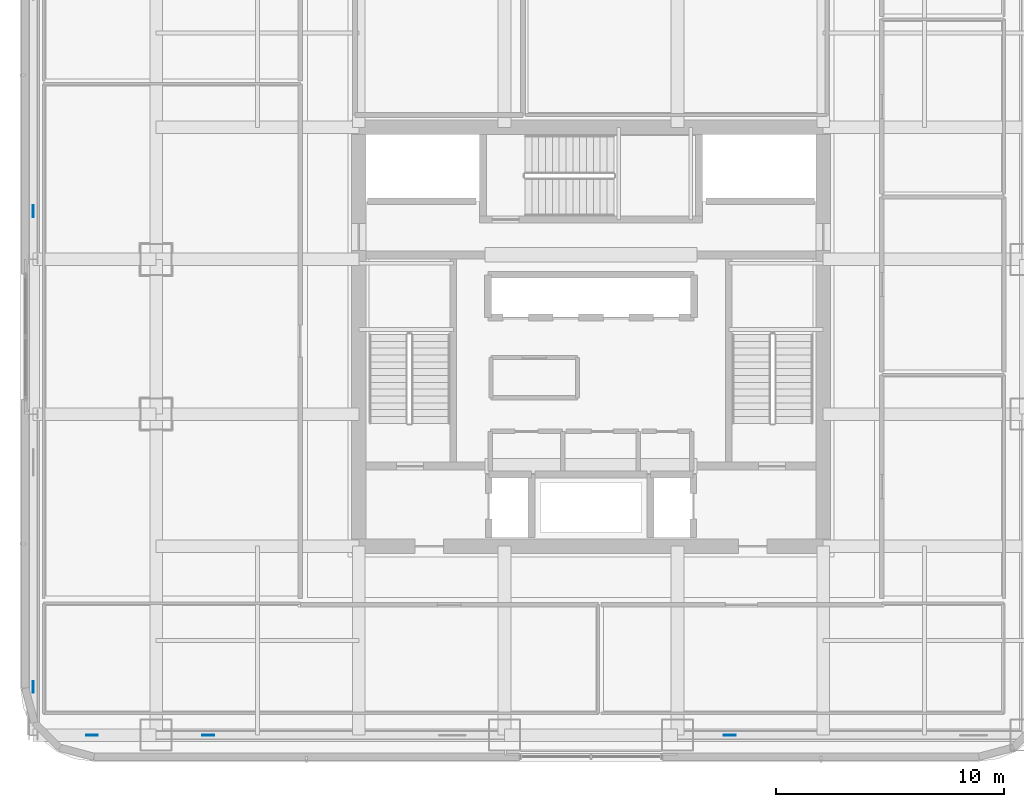
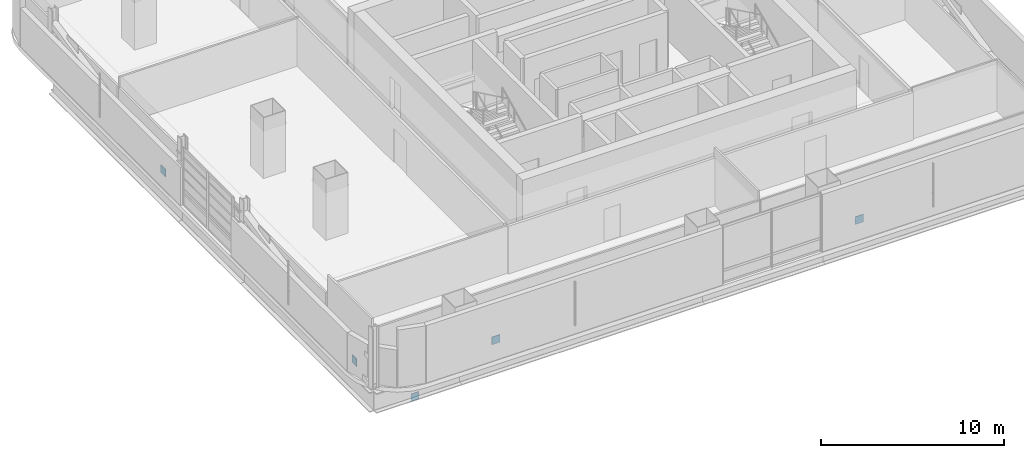
# One storey, part 10 of 32: 5 plates.
"""IFC4 building model written with IfcOpenShell, lengths in metres."""

from ifc_helpers import new_model, si_unit, direction, frame, origin, origin_2d, place, context, subcontext, project, spatial, rectangle, extrude, material, layer, layer_set, type_object, element, save


model = new_model("IFC4")

# Units and contexts
model_context = context("Model", 3, precision=1e-05, world=origin(), true_north=direction((0.0, 1.0)))
body_context = subcontext(model_context, "Body", "Model", "MODEL_VIEW")
ifc_project = project(units=[si_unit("LENGTHUNIT", "METRE"), si_unit("AREAUNIT", "SQUARE_METRE"), si_unit("VOLUMEUNIT", "CUBIC_METRE"), si_unit("PLANEANGLEUNIT", "RADIAN"), si_unit("MASSUNIT", "GRAM", prefix="KILO")], contexts=[model_context])

# Site, building, storey
site_placement = place(None, origin())
site = spatial("IfcSite", under=ifc_project, at=site_placement, CompositionType="ELEMENT")
building_placement = place(site_placement, origin())
building = spatial("IfcBuilding", under=site, at=building_placement, Name="Punatoya Terracotta Tower", CompositionType="ELEMENT")
storey_placement = place(building_placement, frame((0.0, 0.0, 139.800048828125)))
storey = spatial("IfcBuildingStorey", under=building, at=storey_placement, Name="L32", CompositionType="ELEMENT", Elevation=139.800048828125)

# Plates
ifc_material = material(Name="Steel S460", Category="steel")
ifc_layer = layer(ifc_material, 0.031982421875)
ifc_layer_set = layer_set([ifc_layer], Name="Steel S460")
plate_type = type_object("IfcPlateType", Name="PLT-END-32", PredefinedType="USERDEFINED", material=ifc_layer_set)
for number, where, z_axis, x_axis, name in (
    (1, (-16.804931640625, -17.5, 0.21142578125), (0.0, 0.0, 1.0), (1.0, 0.0, 0.0), "L32 Exoskeleton Base Node Plate S1"),
    (2, (6.094970703125, -17.5, 0.21142578125), (0.0, 0.0, 1.0), (1.0, 0.0, 0.0), "L32 Exoskeleton Base Node Plate S3"),
    (3, (-24.5, -15.385009765625, 0.21142578125), (0.0, 0.0, 1.0), (0.0, 1.0, 0.0), "L32 Exoskeleton Base Node Plate W1"),
    (4, (-24.5, 5.514892578125, 0.21142578125), (0.0, 0.0, 1.0), (0.0, 1.0, 0.0), "L32 Exoskeleton Base Node Plate W3"),
):
    element("IfcPlate", number, at=place(storey_placement, frame(where, z_axis=z_axis, x_axis=x_axis)), inside=storey, type_object=plate_type, Name=name, ObjectType="FLANGE_PLATE", PredefinedType="USERDEFINED", context=body_context, shape_type="SweptSolid", body=[
        extrude(rectangle(XDim=0.52001953125, YDim=0.031982421875, at=origin_2d()), origin(), (0.0, 0.0, 1.0), 0.52001953125),
    ])
plate_placement = place(storey_placement, frame((-21.916015625, -17.5, -1.774169921875), z_axis=(0.0, 0.0, 1.0), x_axis=(1.0, 0.0, 0.0)))
element("IfcPlate", 5, at=plate_placement, inside=storey, type_object=plate_type, Name="L32 Knee-Strut Upper End Cap Plate W1", ObjectType="FLANGE_PLATE", PredefinedType="USERDEFINED", context=body_context, shape_type="SweptSolid", body=[
    extrude(rectangle(XDim=0.5, YDim=0.031982421875, at=origin_2d()), origin(), (0.0, 0.0, 1.0), 0.5),
])

save(model, "model.ifc")
